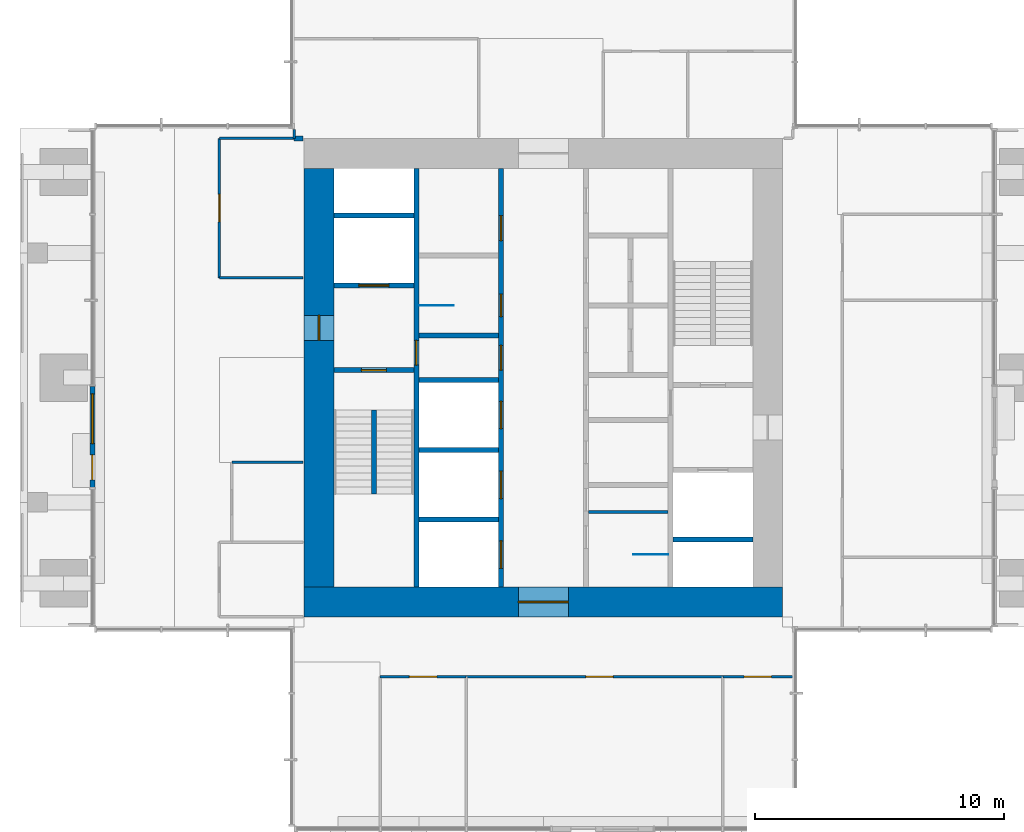
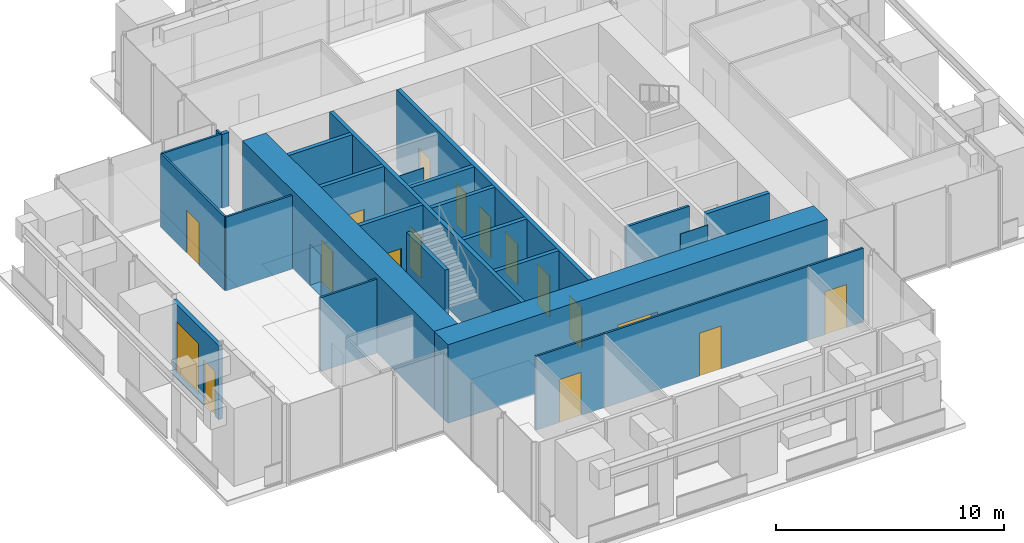
# One storey, part 7 of 12: 26 walls, 16 doors, 1 window, 17 openings.
"""IFC4 building model written with IfcOpenShell, lengths in metres."""

from ifc_helpers import new_model, si_unit, direction, frame, frame_2d, origin, place, context, subcontext, project, spatial, rectangle, extrude, material, layer, layer_set, type_object, element, fill, save


model = new_model("IFC4")

# Units and contexts
model_context = context("Model", 3, precision=1e-05, world=origin(), true_north=direction((0.0, 1.0)))
body_context = subcontext(model_context, "Body", "Model", "MODEL_VIEW")
ifc_project = project(units=[si_unit("LENGTHUNIT", "METRE"), si_unit("AREAUNIT", "SQUARE_METRE"), si_unit("VOLUMEUNIT", "CUBIC_METRE"), si_unit("PLANEANGLEUNIT", "RADIAN"), si_unit("MASSUNIT", "GRAM", prefix="KILO")], contexts=[model_context])

# Site, building, storey
site_placement = place(None, origin())
site = spatial("IfcSite", under=ifc_project, at=site_placement, CompositionType="ELEMENT")
building_placement = place(site_placement, origin())
building = spatial("IfcBuilding", under=site, at=building_placement, Name="Svetlomir Tower", CompositionType="ELEMENT")
storey_placement = place(building_placement, frame((0.0, 0.0, 244.0)))
storey = spatial("IfcBuildingStorey", under=building, at=storey_placement, Name="L58", CompositionType="ELEMENT", Elevation=244.0)

# Wall
ifc_material_1 = material(Name="Gypsum board on twin steel studs", Category="steel")
ifc_layer_1 = layer(ifc_material_1, 0.199951171875)
ifc_layer_set_1 = layer_set([ifc_layer_1], Name="Gypsum board on twin steel studs")
wall_type_1 = type_object("IfcWallType", Name="ACOUSTIC PARTITION 200", PredefinedType="PARTITIONING", material=ifc_layer_set_1)
wall_1_placement = place(storey_placement, frame((11.0, 30.60009765625, 0.0), z_axis=(0.0, 0.0, 1.0), x_axis=(1.0, 0.0, 0.0)))
element("IfcWall", 1, at=wall_1_placement, inside=storey, type_object=wall_type_1, Name="Acoustic partition L58", PredefinedType="PARTITIONING", context=body_context, shape_type="SweptSolid", body=[
    extrude(rectangle(XDim=0.35009765625, YDim=0.199951171875, at=frame_2d((0.175048828125, 0.0))), origin(), (0.0, 0.0, 1.0), 3.949951171875),
])

# Wall, openings, door, window
ifc_material_2 = material(Name="Bronze anodised aluminium glazed screen", Category="aluminium")
ifc_layer_2 = layer(ifc_material_2, 0.199951171875)
ifc_layer_set_2 = layer_set([ifc_layer_2], Name="Bronze anodised aluminium glazed screen")
wall_type_2 = type_object("IfcWallType", Name="BALCONY SCREEN WALL 200", PredefinedType="USERDEFINED", material=ifc_layer_set_2)
wall_2_placement = place(storey_placement, frame((2.89990234375, 20.64990234375, 0.0), z_axis=(0.0, 0.0, 1.0), x_axis=(0.0, -1.0, 0.0)))
wall_2 = element("IfcWall", 2, at=wall_2_placement, inside=storey, type_object=wall_type_2, Name="Balcony screen W", ObjectType="GLAZED SCREEN", PredefinedType="USERDEFINED", context=body_context, shape_type="SweptSolid", body=[
    extrude(rectangle(XDim=4.0498046875, YDim=0.199951171875, at=frame_2d((2.02490234375, 0.0))), origin(), (0.0, 0.0, 1.0), 3.949951171875),
])
opening_1_placement = place(wall_2_placement, frame((2.75, 0.0, 0.0)))
opening_1 = element("IfcOpeningElement", 3, at=opening_1_placement, cuts=wall_2, Name="Opening BD", PredefinedType="OPENING", context=body_context, shape_type="SweptSolid", body=[
    extrude(rectangle(XDim=1.0, YDim=2.39990234375, at=frame_2d((0.5, 1.199951171875))), frame((0.0, 0.10986328125, 0.0), z_axis=(0.0, -1.0, 0.0), x_axis=(1.0, 0.0, 0.0)), (0.0, 0.0, 1.0), 0.219970703125),
])
opening_2_placement = place(wall_2_placement, frame((0.300048828125, 0.0, 0.300048828125)))
opening_2 = element("IfcOpeningElement", 4, at=opening_2_placement, cuts=wall_2, Name="Opening WS", PredefinedType="OPENING", context=body_context, shape_type="SweptSolid", body=[
    extrude(rectangle(XDim=2.0, YDim=2.699951171875, at=frame_2d((1.0, 1.35009765625))), frame((0.0, 0.10986328125, 0.0), z_axis=(0.0, -1.0, 0.0), x_axis=(1.0, 0.0, 0.0)), (0.0, 0.0, 1.0), 0.219970703125),
])
ifc_material_3 = material(Name="Bronze anodised aluminium glazed door", Category="aluminium")
door_type_1 = type_object("IfcDoorType", Name="BALCONY DOOR BD 1000x2400", OperationType="SINGLE_SWING_LEFT", PredefinedType="DOOR", material=ifc_material_3)
door_1_placement = place(opening_1_placement, origin())
door_1 = element("IfcDoor", 5, at=door_1_placement, inside=storey, type_object=door_type_1, Name="Balcony screen W door", OperationType="SINGLE_SWING_LEFT", OverallHeight=2.39990234375, OverallWidth=1.0, PredefinedType="DOOR", context=body_context, shape_type="SweptSolid", body=[
    extrude(rectangle(XDim=1.0, YDim=2.39990234375, at=frame_2d((0.5, 1.199951171875))), frame((0.0, 0.02490234375, 0.0), z_axis=(0.0, -1.0, 0.0), x_axis=(1.0, 0.0, 0.0)), (0.0, 0.0, 1.0), 0.050048828125),
])
fill(opening_1, door_1)
ifc_material_4 = material(Name="Bronze anodised aluminium window", Category="aluminium")
window_type = type_object("IfcWindowType", Name="SCREEN WINDOW WS 2000x2700", PartitioningType="SINGLE_PANEL", PredefinedType="WINDOW", material=ifc_material_4)
window_placement = place(opening_2_placement, origin())
window = element("IfcWindow", 6, at=window_placement, inside=storey, type_object=window_type, Name="Balcony screen W window 1", OverallHeight=2.699951171875, OverallWidth=2.0, PartitioningType="SINGLE_PANEL", PredefinedType="WINDOW", context=body_context, shape_type="SweptSolid", body=[
    extrude(rectangle(XDim=2.0, YDim=2.699951171875, at=frame_2d((1.0, 1.35009765625))), frame((0.0, 0.030029296875, 0.0), z_axis=(0.0, -1.0, 0.0), x_axis=(1.0, 0.0, 0.0)), (0.0, 0.0, 1.0), 0.06005859375),
])
fill(opening_2, window)

# Wall, opening, door
ifc_material_5 = material(Name="Concrete C60/75", Category="concrete")
ifc_layer_3 = layer(ifc_material_5, 0.199951171875)
ifc_layer_set_3 = layer_set([ifc_layer_3], Name="Concrete C60/75")
wall_type_3 = type_object("IfcWallType", Name="CORE INNER WALL 200", PredefinedType="SHEAR", material=ifc_layer_set_3)
wall_3_placement = place(storey_placement, frame((15.89990234375, 12.60009765625, -0.050048828125), z_axis=(0.0, 0.0, 1.0), x_axis=(0.0, 1.0, 0.0)))
wall_3 = element("IfcWall", 7, at=wall_3_placement, inside=storey, type_object=wall_type_3, Name="Core inner wall 15.9 L58", PredefinedType="SHEAR", context=body_context, shape_type="SweptSolid", body=[
    extrude(rectangle(XDim=16.7998046875, YDim=0.199951171875, at=frame_2d((8.39990234375, 0.0))), origin(), (0.0, 0.0, 1.0), 4.199951171875),
])
opening_3_placement = place(wall_3_placement, frame((8.89990234375, 0.0, 0.050048828125)))
opening_3 = element("IfcOpeningElement", 8, at=opening_3_placement, cuts=wall_3, Name="Opening DF", PredefinedType="OPENING", context=body_context, shape_type="SweptSolid", body=[
    extrude(rectangle(XDim=1.0, YDim=2.199951171875, at=frame_2d((0.5, 1.10009765625))), frame((0.0, 0.10986328125, 0.0), z_axis=(0.0, -1.0, 0.0), x_axis=(1.0, 0.0, 0.0)), (0.0, 0.0, 1.0), 0.219970703125),
])
ifc_material_6 = material(Name="Steel fire door", Category="steel")
door_type_2 = type_object("IfcDoorType", Name="DOOR DF 1000x2200", OperationType="SINGLE_SWING_LEFT", PredefinedType="DOOR", material=ifc_material_6)
door_2_placement = place(opening_3_placement, origin())
door_2 = element("IfcDoor", 9, at=door_2_placement, inside=storey, type_object=door_type_2, Name="Core corridor west door L58", OperationType="SINGLE_SWING_LEFT", OverallHeight=2.199951171875, OverallWidth=1.0, PredefinedType="DOOR", context=body_context, shape_type="SweptSolid", body=[
    extrude(rectangle(XDim=1.0, YDim=2.199951171875, at=frame_2d((0.5, 1.10009765625))), frame((0.0, 0.02490234375, 0.0), z_axis=(0.0, -1.0, 0.0), x_axis=(1.0, 0.0, 0.0)), (0.0, 0.0, 1.0), 0.050048828125),
])
fill(opening_3, door_2)

# Wall, openings, doors
wall_4_placement = place(storey_placement, frame((19.300048828125, 12.60009765625, -0.050048828125), z_axis=(0.0, 0.0, 1.0), x_axis=(0.0, 1.0, 0.0)))
wall_4 = element("IfcWall", 10, at=wall_4_placement, inside=storey, type_object=wall_type_3, Name="Core inner wall 19.3 L58", PredefinedType="SHEAR", context=body_context, shape_type="SweptSolid", body=[
    extrude(rectangle(XDim=16.7998046875, YDim=0.199951171875, at=frame_2d((8.39990234375, 0.0))), origin(), (0.0, 0.0, 1.0), 4.199951171875),
])
opening_4_placement = place(wall_4_placement, frame((8.699951171875, 0.0, 0.050048828125)))
opening_4 = element("IfcOpeningElement", 11, at=opening_4_placement, cuts=wall_4, Name="Opening DC", PredefinedType="OPENING", context=body_context, shape_type="SweptSolid", body=[
    extrude(rectangle(XDim=1.0, YDim=2.199951171875, at=frame_2d((0.5, 1.10009765625))), frame((0.0, 0.10986328125, 0.0), z_axis=(0.0, -1.0, 0.0), x_axis=(1.0, 0.0, 0.0)), (0.0, 0.0, 1.0), 0.219970703125),
])
opening_5_placement = place(wall_4_placement, frame((10.85009765625, 0.0, 0.050048828125)))
opening_5 = element("IfcOpeningElement", 12, at=opening_5_placement, cuts=wall_4, Name="Opening DW", PredefinedType="OPENING", context=body_context, shape_type="SweptSolid", body=[
    extrude(rectangle(XDim=0.89990234375, YDim=2.199951171875, at=frame_2d((0.449951171875, 1.10009765625))), frame((0.0, 0.10986328125, 0.0), z_axis=(0.0, -1.0, 0.0), x_axis=(1.0, 0.0, 0.0)), (0.0, 0.0, 1.0), 0.219970703125),
])
opening_6_placement = place(wall_4_placement, frame((13.89990234375, 0.0, 0.050048828125)))
opening_6 = element("IfcOpeningElement", 13, at=opening_6_placement, cuts=wall_4, Name="Opening DC", PredefinedType="OPENING", context=body_context, shape_type="SweptSolid", body=[
    extrude(rectangle(XDim=1.0, YDim=2.199951171875, at=frame_2d((0.5, 1.10009765625))), frame((0.0, 0.10986328125, 0.0), z_axis=(0.0, -1.0, 0.0), x_axis=(1.0, 0.0, 0.0)), (0.0, 0.0, 1.0), 0.219970703125),
])
opening_7_placement = place(wall_4_placement, frame((0.75, 0.0, 0.050048828125)))
opening_7 = element("IfcOpeningElement", 14, at=opening_7_placement, cuts=wall_4, Name="Opening LD", PredefinedType="OPENING", context=body_context, shape_type="SweptSolid", body=[
    extrude(rectangle(XDim=1.10009765625, YDim=2.199951171875, at=frame_2d((0.550048828125, 1.10009765625))), frame((0.0, 0.10986328125, 0.0), z_axis=(0.0, -1.0, 0.0), x_axis=(1.0, 0.0, 0.0)), (0.0, 0.0, 1.0), 0.219970703125),
])
opening_8_placement = place(wall_4_placement, frame((3.550048828125, 0.0, 0.050048828125)))
opening_8 = element("IfcOpeningElement", 15, at=opening_8_placement, cuts=wall_4, Name="Opening LD", PredefinedType="OPENING", context=body_context, shape_type="SweptSolid", body=[
    extrude(rectangle(XDim=1.10009765625, YDim=2.199951171875, at=frame_2d((0.550048828125, 1.10009765625))), frame((0.0, 0.10986328125, 0.0), z_axis=(0.0, -1.0, 0.0), x_axis=(1.0, 0.0, 0.0)), (0.0, 0.0, 1.0), 0.219970703125),
])
opening_9_placement = place(wall_4_placement, frame((6.35009765625, 0.0, 0.050048828125)))
opening_9 = element("IfcOpeningElement", 16, at=opening_9_placement, cuts=wall_4, Name="Opening LD", PredefinedType="OPENING", context=body_context, shape_type="SweptSolid", body=[
    extrude(rectangle(XDim=1.10009765625, YDim=2.199951171875, at=frame_2d((0.550048828125, 1.10009765625))), frame((0.0, 0.10986328125, 0.0), z_axis=(0.0, -1.0, 0.0), x_axis=(1.0, 0.0, 0.0)), (0.0, 0.0, 1.0), 0.219970703125),
])
ifc_material_7 = material(Name="Timber fire door", Category="wood")
door_type_3 = type_object("IfcDoorType", Name="DOOR DC 1000x2200", OperationType="SINGLE_SWING_LEFT", PredefinedType="DOOR", material=ifc_material_7)
door_3_placement = place(opening_4_placement, origin())
door_3 = element("IfcDoor", 17, at=door_3_placement, inside=storey, type_object=door_type_3, Name="Core corridor west lobby door L58", OperationType="SINGLE_SWING_RIGHT", OverallHeight=2.199951171875, OverallWidth=1.0, PredefinedType="DOOR", context=body_context, shape_type="SweptSolid", body=[
    extrude(rectangle(XDim=1.0, YDim=2.199951171875, at=frame_2d((0.5, 1.10009765625))), frame((0.0, 0.02490234375, 0.0), z_axis=(0.0, -1.0, 0.0), x_axis=(1.0, 0.0, 0.0)), (0.0, 0.0, 1.0), 0.050048828125),
])
fill(opening_4, door_3)
door_4_placement = place(opening_6_placement, origin())
door_4 = element("IfcDoor", 18, at=door_4_placement, inside=storey, type_object=door_type_3, Name="Accessible WC door L58", OperationType="SINGLE_SWING_LEFT", OverallHeight=2.199951171875, OverallWidth=1.0, PredefinedType="DOOR", context=body_context, shape_type="SweptSolid", body=[
    extrude(rectangle(XDim=1.0, YDim=2.199951171875, at=frame_2d((0.5, 1.10009765625))), frame((0.0, 0.02490234375, 0.0), z_axis=(0.0, -1.0, 0.0), x_axis=(1.0, 0.0, 0.0)), (0.0, 0.0, 1.0), 0.050048828125),
])
fill(opening_6, door_4)
ifc_material_8 = material(Name="Timber fire door", Category="wood")
door_type_4 = type_object("IfcDoorType", Name="DOOR DW 900x2200", OperationType="SINGLE_SWING_LEFT", PredefinedType="DOOR", material=ifc_material_8)
door_5_placement = place(opening_5_placement, origin())
door_5 = element("IfcDoor", 19, at=door_5_placement, inside=storey, type_object=door_type_4, Name="Female WC door L58", OperationType="SINGLE_SWING_LEFT", OverallHeight=2.199951171875, OverallWidth=0.89990234375, PredefinedType="DOOR", context=body_context, shape_type="SweptSolid", body=[
    extrude(rectangle(XDim=0.89990234375, YDim=2.199951171875, at=frame_2d((0.449951171875, 1.10009765625))), frame((0.0, 0.02490234375, 0.0), z_axis=(0.0, -1.0, 0.0), x_axis=(1.0, 0.0, 0.0)), (0.0, 0.0, 1.0), 0.050048828125),
])
fill(opening_5, door_5)
ifc_material_9 = material(Name="Stainless steel landing door", Category="steel")
door_type_5 = type_object("IfcDoorType", Name="LIFT LANDING DOOR LD 1100x2200", OperationType="DOUBLE_DOOR_SLIDING", PredefinedType="DOOR", material=ifc_material_9)
door_6_placement = place(opening_7_placement, origin())
door_6 = element("IfcDoor", 20, at=door_6_placement, inside=storey, type_object=door_type_5, Name="Landing door lift LD1 L58", OperationType="DOUBLE_DOOR_SLIDING", OverallHeight=2.199951171875, OverallWidth=1.10009765625, PredefinedType="DOOR", context=body_context, shape_type="SweptSolid", body=[
    extrude(rectangle(XDim=1.10009765625, YDim=2.199951171875, at=frame_2d((0.550048828125, 1.10009765625))), frame((0.0, 0.02490234375, 0.0), z_axis=(0.0, -1.0, 0.0), x_axis=(1.0, 0.0, 0.0)), (0.0, 0.0, 1.0), 0.050048828125),
])
fill(opening_7, door_6)
door_7_placement = place(opening_8_placement, origin())
door_7 = element("IfcDoor", 21, at=door_7_placement, inside=storey, type_object=door_type_5, Name="Landing door lift LD2 L58", OperationType="DOUBLE_DOOR_SLIDING", OverallHeight=2.199951171875, OverallWidth=1.10009765625, PredefinedType="DOOR", context=body_context, shape_type="SweptSolid", body=[
    extrude(rectangle(XDim=1.10009765625, YDim=2.199951171875, at=frame_2d((0.550048828125, 1.10009765625))), frame((0.0, 0.02490234375, 0.0), z_axis=(0.0, -1.0, 0.0), x_axis=(1.0, 0.0, 0.0)), (0.0, 0.0, 1.0), 0.050048828125),
])
fill(opening_8, door_7)
door_8_placement = place(opening_9_placement, origin())
door_8 = element("IfcDoor", 22, at=door_8_placement, inside=storey, type_object=door_type_5, Name="Landing door lift LD3 L58", OperationType="DOUBLE_DOOR_SLIDING", OverallHeight=2.199951171875, OverallWidth=1.10009765625, PredefinedType="DOOR", context=body_context, shape_type="SweptSolid", body=[
    extrude(rectangle(XDim=1.10009765625, YDim=2.199951171875, at=frame_2d((0.550048828125, 1.10009765625))), frame((0.0, 0.02490234375, 0.0), z_axis=(0.0, -1.0, 0.0), x_axis=(1.0, 0.0, 0.0)), (0.0, 0.0, 1.0), 0.050048828125),
])
fill(opening_9, door_8)

# Wall, opening, door
wall_5_placement = place(storey_placement, frame((12.60009765625, 21.300048828125, -0.050048828125), z_axis=(0.0, 0.0, 1.0), x_axis=(1.0, 0.0, 0.0)))
wall_5 = element("IfcWall", 23, at=wall_5_placement, inside=storey, type_object=wall_type_3, Name="Core inner wall 12.6-15.8/21.3 L58", PredefinedType="SHEAR", context=body_context, shape_type="SweptSolid", body=[
    extrude(rectangle(XDim=3.199951171875, YDim=0.199951171875, at=frame_2d((1.60009765625, 0.0))), origin(), (0.0, 0.0, 1.0), 4.199951171875),
])
opening_10_placement = place(wall_5_placement, frame((1.10009765625, 0.0, 0.050048828125)))
opening_10 = element("IfcOpeningElement", 24, at=opening_10_placement, cuts=wall_5, Name="Opening DF", PredefinedType="OPENING", context=body_context, shape_type="SweptSolid", body=[
    extrude(rectangle(XDim=1.0, YDim=2.199951171875, at=frame_2d((0.5, 1.10009765625))), frame((0.0, 0.10986328125, 0.0), z_axis=(0.0, -1.0, 0.0), x_axis=(1.0, 0.0, 0.0)), (0.0, 0.0, 1.0), 0.219970703125),
])
door_9_placement = place(opening_10_placement, origin())
door_9 = element("IfcDoor", 25, at=door_9_placement, inside=storey, type_object=door_type_2, Name="Stair S1 door L58", OperationType="SINGLE_SWING_RIGHT", OverallHeight=2.199951171875, OverallWidth=1.0, PredefinedType="DOOR", context=body_context, shape_type="SweptSolid", body=[
    extrude(rectangle(XDim=1.0, YDim=2.199951171875, at=frame_2d((0.5, 1.10009765625))), frame((0.0, 0.02490234375, 0.0), z_axis=(0.0, -1.0, 0.0), x_axis=(1.0, 0.0, 0.0)), (0.0, 0.0, 1.0), 0.050048828125),
])
fill(opening_10, door_9)

wall_6_placement = place(storey_placement, frame((12.60009765625, 24.699951171875, -0.050048828125), z_axis=(0.0, 0.0, 1.0), x_axis=(1.0, 0.0, 0.0)))
wall_6 = element("IfcWall", 26, at=wall_6_placement, inside=storey, type_object=wall_type_3, Name="Core inner wall 12.6-15.8/24.7 L58", PredefinedType="SHEAR", context=body_context, shape_type="SweptSolid", body=[
    extrude(rectangle(XDim=3.199951171875, YDim=0.199951171875, at=frame_2d((1.60009765625, 0.0))), origin(), (0.0, 0.0, 1.0), 4.199951171875),
])
opening_11_placement = place(wall_6_placement, frame((1.0, 0.0, 0.050048828125)))
opening_11 = element("IfcOpeningElement", 27, at=opening_11_placement, cuts=wall_6, Name="Opening LD3", PredefinedType="OPENING", context=body_context, shape_type="SweptSolid", body=[
    extrude(rectangle(XDim=1.199951171875, YDim=2.199951171875, at=frame_2d((0.60009765625, 1.10009765625))), frame((0.0, 0.10986328125, 0.0), z_axis=(0.0, -1.0, 0.0), x_axis=(1.0, 0.0, 0.0)), (0.0, 0.0, 1.0), 0.219970703125),
])
ifc_material_10 = material(Name="Stainless steel fire-rated landing door", Category="steel")
door_type_6 = type_object("IfcDoorType", Name="FIREFIGHTING LIFT LANDING DOOR LD3 1200x2200", OperationType="DOUBLE_DOOR_SLIDING", PredefinedType="DOOR", material=ifc_material_10)
door_10_placement = place(opening_11_placement, origin())
door_10 = element("IfcDoor", 28, at=door_10_placement, inside=storey, type_object=door_type_6, Name="Landing door lift FL1 L58", OperationType="DOUBLE_DOOR_SLIDING", OverallHeight=2.199951171875, OverallWidth=1.199951171875, PredefinedType="DOOR", context=body_context, shape_type="SweptSolid", body=[
    extrude(rectangle(XDim=1.199951171875, YDim=2.199951171875, at=frame_2d((0.60009765625, 1.10009765625))), frame((0.0, 0.02490234375, 0.0), z_axis=(0.0, -1.0, 0.0), x_axis=(1.0, 0.0, 0.0)), (0.0, 0.0, 1.0), 0.050048828125),
])
fill(opening_11, door_10)

# Walls
for number, where, z_axis, x_axis, name in (
    (29, (12.60009765625, 27.5, -0.050048828125), (0.0, 0.0, 1.0), (1.0, 0.0, 0.0), "Core inner wall 12.6-15.8/27.5 L58"),
    (30, (16.0, 15.300048828125, -0.050048828125), (0.0, 0.0, 1.0), (1.0, 0.0, 0.0), "Core inner wall 16-19.2/15.3 L58"),
    (31, (16.0, 18.10009765625, -0.050048828125), (0.0, 0.0, 1.0), (1.0, 0.0, 0.0), "Core inner wall 16-19.2/18.1 L58"),
    (32, (16.0, 20.89990234375, -0.050048828125), (0.0, 0.0, 1.0), (1.0, 0.0, 0.0), "Core inner wall 16-19.2/20.9 L58"),
    (33, (16.0, 22.699951171875, -0.050048828125), (0.0, 0.0, 1.0), (1.0, 0.0, 0.0), "Core inner wall 16-19.2/22.7 L58"),
    (34, (26.199951171875, 14.5, -0.050048828125), (0.0, 0.0, 1.0), (1.0, 0.0, 0.0), "Core inner wall 26.2-29.4/14.5 L58"),
):
    element("IfcWall", number, at=place(storey_placement, frame(where, z_axis=z_axis, x_axis=x_axis)), inside=storey, type_object=wall_type_3, Name=name, PredefinedType="SHEAR", context=body_context, shape_type="SweptSolid", body=[
        extrude(rectangle(XDim=3.199951171875, YDim=0.199951171875, at=frame_2d((1.60009765625, 0.0))), origin(), (0.0, 0.0, 1.0), 4.199951171875),
    ])

# Wall, opening, door
ifc_material_11 = material(Name="Concrete C60/75", Category="concrete")
ifc_layer_4 = layer(ifc_material_11, 1.199951171875)
ifc_layer_set_4 = layer_set([ifc_layer_4], Name="Concrete C60/75")
wall_type_4 = type_object("IfcWallType", Name="CORE WALL 1200", PredefinedType="SHEAR", material=ifc_layer_set_4)
wall_7_placement = place(storey_placement, frame((11.39990234375, 12.0, -0.050048828125), z_axis=(0.0, 0.0, 1.0), x_axis=(1.0, 0.0, 0.0)))
wall_7 = element("IfcWall", 35, at=wall_7_placement, inside=storey, type_object=wall_type_4, Name="Core wall south L58", PredefinedType="SHEAR", context=body_context, shape_type="SweptSolid", body=[
    extrude(rectangle(XDim=19.2001953125, YDim=1.199951171875, at=frame_2d((9.60009765625, 0.0))), origin(), (0.0, 0.0, 1.0), 4.199951171875),
])
opening_12_placement = place(wall_7_placement, frame((8.60009765625, 0.0, 0.050048828125)))
opening_12 = element("IfcOpeningElement", 36, at=opening_12_placement, cuts=wall_7, Name="Opening DL", PredefinedType="OPENING", context=body_context, shape_type="SweptSolid", body=[
    extrude(rectangle(XDim=2.0, YDim=2.199951171875, at=frame_2d((1.0, 1.10009765625))), frame((0.0, 0.60986328125, 0.0), z_axis=(0.0, -1.0, 0.0), x_axis=(1.0, 0.0, 0.0)), (0.0, 0.0, 1.0), 1.219970703125),
])
ifc_material_12 = material(Name="Steel fire door", Category="steel")
door_type_7 = type_object("IfcDoorType", Name="DOOR DL 2000x2200", OperationType="DOUBLE_DOOR_SINGLE_SWING", PredefinedType="DOOR", material=ifc_material_12)
door_11_placement = place(opening_12_placement, origin())
door_11 = element("IfcDoor", 37, at=door_11_placement, inside=storey, type_object=door_type_7, Name="Lift lobby south door L58", OperationType="DOUBLE_DOOR_SINGLE_SWING", OverallHeight=2.199951171875, OverallWidth=2.0, PredefinedType="DOOR", context=body_context, shape_type="SweptSolid", body=[
    extrude(rectangle(XDim=2.0, YDim=2.199951171875, at=frame_2d((1.0, 1.10009765625))), frame((0.0, 0.02490234375, 0.0), z_axis=(0.0, -1.0, 0.0), x_axis=(1.0, 0.0, 0.0)), (0.0, 0.0, 1.0), 0.050048828125),
])
fill(opening_12, door_11)

wall_8_placement = place(storey_placement, frame((12.0, 12.60009765625, -0.050048828125), z_axis=(0.0, 0.0, 1.0), x_axis=(0.0, 1.0, 0.0)))
wall_8 = element("IfcWall", 38, at=wall_8_placement, inside=storey, type_object=wall_type_4, Name="Core wall west L58", PredefinedType="SHEAR", context=body_context, shape_type="SweptSolid", body=[
    extrude(rectangle(XDim=16.7998046875, YDim=1.199951171875, at=frame_2d((8.39990234375, 0.0))), origin(), (0.0, 0.0, 1.0), 4.199951171875),
])
opening_13_placement = place(wall_8_placement, frame((9.89990234375, 0.0, 0.050048828125)))
opening_13 = element("IfcOpeningElement", 39, at=opening_13_placement, cuts=wall_8, Name="Opening DF", PredefinedType="OPENING", context=body_context, shape_type="SweptSolid", body=[
    extrude(rectangle(XDim=1.0, YDim=2.199951171875, at=frame_2d((0.5, 1.10009765625))), frame((0.0, 0.60986328125, 0.0), z_axis=(0.0, -1.0, 0.0), x_axis=(1.0, 0.0, 0.0)), (0.0, 0.0, 1.0), 1.219970703125),
])
door_12_placement = place(opening_13_placement, origin())
door_12 = element("IfcDoor", 40, at=door_12_placement, inside=storey, type_object=door_type_2, Name="Firefighting lobby west door L58", OperationType="SINGLE_SWING_RIGHT", OverallHeight=2.199951171875, OverallWidth=1.0, PredefinedType="DOOR", context=body_context, shape_type="SweptSolid", body=[
    extrude(rectangle(XDim=1.0, YDim=2.199951171875, at=frame_2d((0.5, 1.10009765625))), frame((0.0, 0.02490234375, 0.0), z_axis=(0.0, -1.0, 0.0), x_axis=(1.0, 0.0, 0.0)), (0.0, 0.0, 1.0), 0.050048828125),
])
fill(opening_13, door_12)

ifc_material_13 = material(Name="Framed laminated glass partition", Category="glass")
ifc_layer_5 = layer(ifc_material_13, 0.10009765625)
ifc_layer_set_5 = layer_set([ifc_layer_5], Name="Framed laminated glass partition")
wall_type_5 = type_object("IfcWallType", Name="GLAZED PARTITION 100", PredefinedType="PARTITIONING", material=ifc_layer_set_5)
wall_9_placement = place(storey_placement, frame((8.0, 25.0, 0.0), z_axis=(0.0, 0.0, 1.0), x_axis=(0.0, 1.0, 0.0)))
wall_9 = element("IfcWall", 41, at=wall_9_placement, inside=storey, type_object=wall_type_5, Name="Glazed partition L58", PredefinedType="PARTITIONING", context=body_context, shape_type="SweptSolid", body=[
    extrude(rectangle(XDim=5.60009765625, YDim=0.10009765625, at=frame_2d((2.800048828125, 0.0))), origin(), (0.0, 0.0, 1.0), 3.949951171875),
])
opening_14_placement = place(wall_9_placement, frame((2.25, 0.0, 0.0)))
opening_14 = element("IfcOpeningElement", 42, at=opening_14_placement, cuts=wall_9, Name="Opening DE", PredefinedType="OPENING", context=body_context, shape_type="SweptSolid", body=[
    extrude(rectangle(XDim=1.10009765625, YDim=2.300048828125, at=frame_2d((0.550048828125, 1.14990234375))), frame((0.0, 0.06005859375, 0.0), z_axis=(0.0, -1.0, 0.0), x_axis=(1.0, 0.0, 0.0)), (0.0, 0.0, 1.0), 0.1201171875),
])
ifc_material_14 = material(Name="Walnut veneered timber door", Category="wood")
door_type_8 = type_object("IfcDoorType", Name="DOOR DE 1100x2300", OperationType="SINGLE_SWING_LEFT", PredefinedType="DOOR", material=ifc_material_14)
door_13_placement = place(opening_14_placement, origin())
door_13 = element("IfcDoor", 43, at=door_13_placement, inside=storey, type_object=door_type_8, Name="Executive meeting room, 4 seats door L58", OperationType="SINGLE_SWING_RIGHT", OverallHeight=2.300048828125, OverallWidth=1.10009765625, PredefinedType="DOOR", context=body_context, shape_type="SweptSolid", body=[
    extrude(rectangle(XDim=1.10009765625, YDim=2.300048828125, at=frame_2d((0.550048828125, 1.14990234375))), frame((0.0, 0.02490234375, 0.0), z_axis=(0.0, -1.0, 0.0), x_axis=(1.0, 0.0, 0.0)), (0.0, 0.0, 1.0), 0.050048828125),
])
fill(opening_14, door_13)

# Walls
wall_10_placement = place(storey_placement, frame((8.0, 25.0, 0.0), z_axis=(0.0, 0.0, 1.0), x_axis=(1.0, 0.0, 0.0)))
element("IfcWall", 44, at=wall_10_placement, inside=storey, type_object=wall_type_5, Name="Glazed partition L58", PredefinedType="PARTITIONING", context=body_context, shape_type="SweptSolid", body=[
    extrude(rectangle(XDim=3.35009765625, YDim=0.10009765625, at=frame_2d((1.675048828125, 0.0))), origin(), (0.0, 0.0, 1.0), 3.949951171875),
])
wall_11_placement = place(storey_placement, frame((8.0, 30.60009765625, 0.0), z_axis=(0.0, 0.0, 1.0), x_axis=(1.0, 0.0, 0.0)))
element("IfcWall", 45, at=wall_11_placement, inside=storey, type_object=wall_type_5, Name="Glazed partition L58", PredefinedType="PARTITIONING", context=body_context, shape_type="SweptSolid", body=[
    extrude(rectangle(XDim=3.0, YDim=0.10009765625, at=frame_2d((1.5, 0.0))), origin(), (0.0, 0.0, 1.0), 3.949951171875),
])
wall_12_placement = place(storey_placement, frame((8.5, 17.60009765625, 0.0), z_axis=(0.0, 0.0, 1.0), x_axis=(1.0, 0.0, 0.0)))
element("IfcWall", 46, at=wall_12_placement, inside=storey, type_object=wall_type_5, Name="Partition L58", PredefinedType="PARTITIONING", context=body_context, shape_type="SweptSolid", body=[
    extrude(rectangle(XDim=2.85009765625, YDim=0.10009765625, at=frame_2d((1.425048828125, 0.0))), origin(), (0.0, 0.0, 1.0), 3.949951171875),
])
wall_13_placement = place(storey_placement, frame((11.0, 30.60009765625, 0.0), z_axis=(0.0, 0.0, 1.0), x_axis=(0.0, 1.0, 0.0)))
element("IfcWall", 47, at=wall_13_placement, inside=storey, type_object=wall_type_5, Name="Glazed partition L58", PredefinedType="PARTITIONING", context=body_context, shape_type="SweptSolid", body=[
    extrude(rectangle(XDim=0.349853515625, YDim=0.10009765625, at=frame_2d((0.1748046875, 0.0))), origin(), (0.0, 0.0, 1.0), 3.949951171875),
])

# Wall, opening, door
wall_14_placement = place(storey_placement, frame((14.449951171875, 9.0, 0.0), z_axis=(0.0, 0.0, 1.0), x_axis=(1.0, 0.0, 0.0)))
wall_14 = element("IfcWall", 48, at=wall_14_placement, inside=storey, type_object=wall_type_5, Name="Partition L58", PredefinedType="PARTITIONING", context=body_context, shape_type="SweptSolid", body=[
    extrude(rectangle(XDim=3.449951171875, YDim=0.10009765625, at=frame_2d((1.72509765625, 0.0))), origin(), (0.0, 0.0, 1.0), 3.949951171875),
])
opening_15_placement = place(wall_14_placement, frame((1.175048828125, 0.0, 0.0)))
opening_15 = element("IfcOpeningElement", 49, at=opening_15_placement, cuts=wall_14, Name="Opening DE", PredefinedType="OPENING", context=body_context, shape_type="SweptSolid", body=[
    extrude(rectangle(XDim=1.10009765625, YDim=2.300048828125, at=frame_2d((0.550048828125, 1.14990234375))), frame((0.0, 0.06005859375, 0.0), z_axis=(0.0, -1.0, 0.0), x_axis=(1.0, 0.0, 0.0)), (0.0, 0.0, 1.0), 0.1201171875),
])
door_14_placement = place(opening_15_placement, origin())
door_14 = element("IfcDoor", 50, at=door_14_placement, inside=storey, type_object=door_type_8, Name="Executive office - Group CFO door L58", OperationType="SINGLE_SWING_LEFT", OverallHeight=2.300048828125, OverallWidth=1.10009765625, PredefinedType="DOOR", context=body_context, shape_type="SweptSolid", body=[
    extrude(rectangle(XDim=1.10009765625, YDim=2.300048828125, at=frame_2d((0.550048828125, 1.14990234375))), frame((0.0, 0.02490234375, 0.0), z_axis=(0.0, -1.0, 0.0), x_axis=(1.0, 0.0, 0.0)), (0.0, 0.0, 1.0), 0.050048828125),
])
fill(opening_15, door_14)

wall_15_placement = place(storey_placement, frame((17.89990234375, 9.0, 0.0), z_axis=(0.0, 0.0, 1.0), x_axis=(1.0, 0.0, 0.0)))
wall_15 = element("IfcWall", 51, at=wall_15_placement, inside=storey, type_object=wall_type_5, Name="Glazed partition L58", PredefinedType="PARTITIONING", context=body_context, shape_type="SweptSolid", body=[
    extrude(rectangle(XDim=10.300048828125, YDim=0.10009765625, at=frame_2d((5.14990234375, 0.0))), origin(), (0.0, 0.0, 1.0), 3.949951171875),
])
opening_16_placement = place(wall_15_placement, frame((4.800048828125, 0.0, 0.0)))
opening_16 = element("IfcOpeningElement", 52, at=opening_16_placement, cuts=wall_15, Name="Opening DE", PredefinedType="OPENING", context=body_context, shape_type="SweptSolid", body=[
    extrude(rectangle(XDim=1.10009765625, YDim=2.300048828125, at=frame_2d((0.550048828125, 1.14990234375))), frame((0.0, 0.06005859375, 0.0), z_axis=(0.0, -1.0, 0.0), x_axis=(1.0, 0.0, 0.0)), (0.0, 0.0, 1.0), 0.1201171875),
])
door_15_placement = place(opening_16_placement, origin())
door_15 = element("IfcDoor", 53, at=door_15_placement, inside=storey, type_object=door_type_8, Name="Executive lounge door L58", OperationType="SINGLE_SWING_RIGHT", OverallHeight=2.300048828125, OverallWidth=1.10009765625, PredefinedType="DOOR", context=body_context, shape_type="SweptSolid", body=[
    extrude(rectangle(XDim=1.10009765625, YDim=2.300048828125, at=frame_2d((0.550048828125, 1.14990234375))), frame((0.0, 0.02490234375, 0.0), z_axis=(0.0, -1.0, 0.0), x_axis=(1.0, 0.0, 0.0)), (0.0, 0.0, 1.0), 0.050048828125),
])
fill(opening_16, door_15)

wall_16_placement = place(storey_placement, frame((28.199951171875, 9.0, 0.0), z_axis=(0.0, 0.0, 1.0), x_axis=(1.0, 0.0, 0.0)))
wall_16 = element("IfcWall", 54, at=wall_16_placement, inside=storey, type_object=wall_type_5, Name="Partition L58", PredefinedType="PARTITIONING", context=body_context, shape_type="SweptSolid", body=[
    extrude(rectangle(XDim=2.800048828125, YDim=0.10009765625, at=frame_2d((1.39990234375, 0.0))), origin(), (0.0, 0.0, 1.0), 3.949951171875),
])
opening_17_placement = place(wall_16_placement, frame((0.85009765625, 0.0, 0.0)))
opening_17 = element("IfcOpeningElement", 55, at=opening_17_placement, cuts=wall_16, Name="Opening DE", PredefinedType="OPENING", context=body_context, shape_type="SweptSolid", body=[
    extrude(rectangle(XDim=1.10009765625, YDim=2.300048828125, at=frame_2d((0.550048828125, 1.14990234375))), frame((0.0, 0.06005859375, 0.0), z_axis=(0.0, -1.0, 0.0), x_axis=(1.0, 0.0, 0.0)), (0.0, 0.0, 1.0), 0.1201171875),
])
door_16_placement = place(opening_17_placement, origin())
door_16 = element("IfcDoor", 56, at=door_16_placement, inside=storey, type_object=door_type_8, Name="Executive office - Deputy CFO door L58", OperationType="SINGLE_SWING_LEFT", OverallHeight=2.300048828125, OverallWidth=1.10009765625, PredefinedType="DOOR", context=body_context, shape_type="SweptSolid", body=[
    extrude(rectangle(XDim=1.10009765625, YDim=2.300048828125, at=frame_2d((0.550048828125, 1.14990234375))), frame((0.0, 0.02490234375, 0.0), z_axis=(0.0, -1.0, 0.0), x_axis=(1.0, 0.0, 0.0)), (0.0, 0.0, 1.0), 0.050048828125),
])
fill(opening_17, door_16)

# Walls
ifc_material_15 = material(Name="Gypsum board on steel studs", Category="steel")
ifc_layer_6 = layer(ifc_material_15, 0.1201171875)
ifc_layer_set_6 = layer_set([ifc_layer_6], Name="Gypsum board on steel studs")
wall_type_6 = type_object("IfcWallType", Name="PARTITION 120", PredefinedType="PARTITIONING", material=ifc_layer_set_6)
wall_17_placement = place(storey_placement, frame((22.800048828125, 15.60009765625, 0.0), z_axis=(0.0, 0.0, 1.0), x_axis=(1.0, 0.0, 0.0)))
element("IfcWall", 57, at=wall_17_placement, inside=storey, type_object=wall_type_6, Name="Shower room partition L58", PredefinedType="PARTITIONING", context=body_context, shape_type="SweptSolid", body=[
    extrude(rectangle(XDim=3.199951171875, YDim=0.1201171875, at=frame_2d((1.60009765625, 0.0))), origin(), (0.0, 0.0, 1.0), 3.949951171875),
])
ifc_material_16 = material(Name="Concrete C60/75", Category="concrete")
ifc_layer_7 = layer(ifc_material_16, 0.199951171875)
ifc_layer_set_7 = layer_set([ifc_layer_7], Name="Concrete C60/75")
wall_type_7 = type_object("IfcWallType", Name="STAIR SPINE WALL 200", PredefinedType="PARTITIONING", material=ifc_layer_set_7)
wall_18_placement = place(storey_placement, frame((14.199951171875, 16.340087890625, 0.0), z_axis=(0.0, 0.0, 1.0), x_axis=(0.0, 1.0, 0.0)))
element("IfcWall", 58, at=wall_18_placement, inside=storey, type_object=wall_type_7, Name="Stair S1 spine wall L58", PredefinedType="PARTITIONING", context=body_context, shape_type="SweptSolid", body=[
    extrude(rectangle(XDim=3.35986328125, YDim=0.199951171875, at=frame_2d((1.679931640625, 0.0))), origin(), (0.0, 0.0, 1.0), 4.199951171875),
])
ifc_material_17 = material(Name="Compact laminate panel", Category="plastic")
ifc_layer_8 = layer(ifc_material_17, 0.030029296875)
ifc_layer_set_8 = layer_set([ifc_layer_8], Name="Compact laminate panel")
wall_type_8 = type_object("IfcWallType", Name="WC CUBICLE PARTITION 30", PredefinedType="PARTITIONING", material=ifc_layer_set_8)
for number, where, z_axis, x_axis, name in (
    (59, (24.60009765625, 13.89990234375, 0.0), (0.0, 0.0, 1.0), (1.0, 0.0, 0.0), "WC cubicle partition L58"),
    (60, (16.0, 23.89990234375, 0.0), (0.0, 0.0, 1.0), (1.0, 0.0, 0.0), "WC cubicle partition L58"),
):
    element("IfcWall", number, at=place(storey_placement, frame(where, z_axis=z_axis, x_axis=x_axis)), inside=storey, type_object=wall_type_8, Name=name, PredefinedType="PARTITIONING", context=body_context, shape_type="SweptSolid", body=[
        extrude(rectangle(XDim=1.39990234375, YDim=0.030029296875, at=frame_2d((0.699951171875, 0.0))), origin(), (0.0, 0.0, 1.0), 3.949951171875),
    ])

save(model, "model.ifc")
